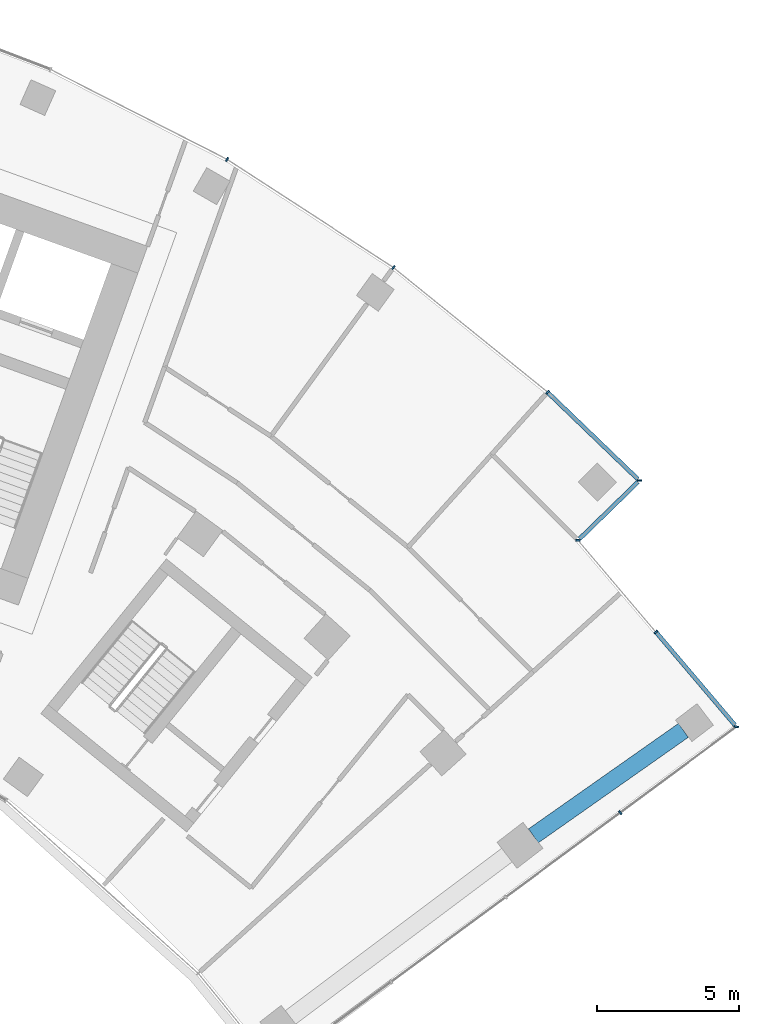
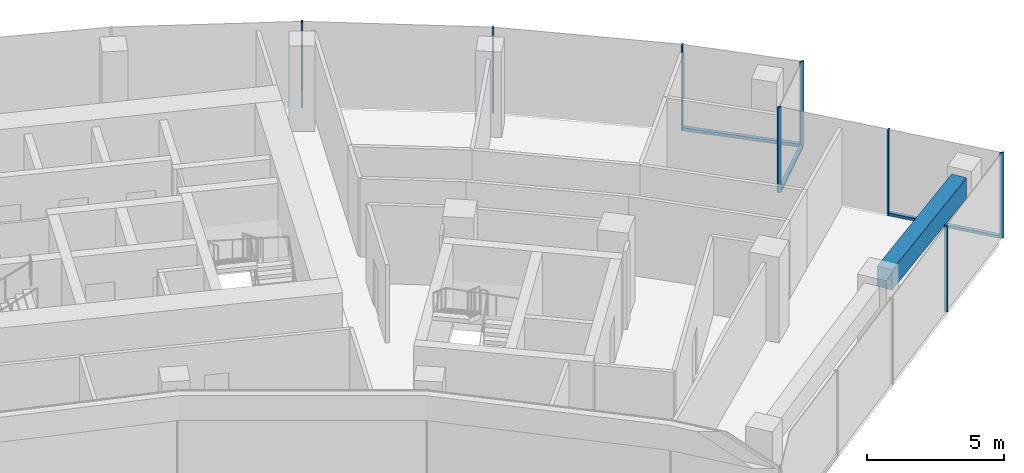
# One storey, part 8 of 18: 11 members, 1 beam, 4 elements without a shape of their own.
"""IFC4 building model written with IfcOpenShell, lengths in metres."""

from ifc_helpers import new_model, si_unit, direction, frame, origin, origin_2d, place, context, subcontext, project, spatial, rectangle, extrude, material, layer, layer_set, material_profile, profile_set, type_object, element, aggregate, save


model = new_model("IFC4")

# Units and contexts
model_context = context("Model", 3, precision=1e-05, world=origin(), true_north=direction((0.0, 1.0)))
body_context = subcontext(model_context, "Body", "Model", "MODEL_VIEW")
ifc_project = project(units=[si_unit("LENGTHUNIT", "METRE"), si_unit("AREAUNIT", "SQUARE_METRE"), si_unit("VOLUMEUNIT", "CUBIC_METRE"), si_unit("PLANEANGLEUNIT", "RADIAN"), si_unit("MASSUNIT", "GRAM", prefix="KILO")], contexts=[model_context])

# Site, building, storey
site_placement = place(None, origin())
site = spatial("IfcSite", under=ifc_project, at=site_placement, CompositionType="ELEMENT")
building_placement = place(site_placement, origin())
building = spatial("IfcBuilding", under=site, at=building_placement, Name="Stone Belt Terrace Tower", CompositionType="ELEMENT")
storey_placement = place(building_placement, frame((0.0, 0.0, 220.0)))
storey = spatial("IfcBuildingStorey", under=building, at=storey_placement, Name="L53", CompositionType="ELEMENT", Elevation=220.0)

# Curtain wall, members
ifc_material_1 = material(Name="Aluminium 6063-T6 anodised frame", Category="aluminium")
ifc_layer_1 = layer(ifc_material_1, 0.14990234375)
ifc_layer_set_1 = layer_set([ifc_layer_1], Name="CW-A unitised convex-face curtain wall")
curtain_wall_type_1 = type_object("IfcCurtainWallType", Name="CW-A unitised convex-face curtain wall", PredefinedType="NOTDEFINED", material=ifc_layer_set_1)
curtain_wall_1_placement = place(storey_placement, origin())
curtain_wall_1 = element("IfcCurtainWall", 1, at=curtain_wall_1_placement, inside=storey, type_object=curtain_wall_type_1, Name="CW-A convex face L53", PredefinedType="NOTDEFINED")
ifc_material_profile_1 = material_profile(ifc_material_1, rectangle(XDim=0.14990234375, YDim=0.06005859375, at=origin_2d()), Name="Aluminium 6063-T6 60x150")
ifc_profile_set_1 = profile_set([ifc_material_profile_1], Name="Aluminium 6063-T6 anodised frame")
member_type_1 = type_object("IfcMemberType", Name="CW-A mullion 60 x 150", PredefinedType="MULLION", material=ifc_profile_set_1)
member_1_placement = place(storey_placement, frame((47.775390625, 46.369140625, 0.0), z_axis=(0.0, 0.0, 1.0), x_axis=(-0.999996264646, -0.002733257028, 0.0)))
member_1 = element("IfcMember", 2, at=member_1_placement, type_object=member_type_1, Name="CW-A mullion 1", PredefinedType="MULLION", context=body_context, shape_type="SweptSolid", body=[
    extrude(rectangle(XDim=0.14990234375, YDim=0.06005859375, at=origin_2d()), origin(), (0.0, 0.0, 1.0), 3.800048828125),
])
member_2_placement = place(storey_placement, frame((44.546875, 49.475341796875, 0.0), z_axis=(0.0, 0.0, 1.0), x_axis=(-0.661937409618, -0.749559114245, 0.0)))
member_2 = element("IfcMember", 3, at=member_2_placement, type_object=member_type_1, Name="CW-A mullion 2", PredefinedType="MULLION", context=body_context, shape_type="SweptSolid", body=[
    extrude(rectangle(XDim=0.14990234375, YDim=0.06005859375, at=origin_2d()), origin(), (0.0, 0.0, 1.0), 3.800048828125),
])
member_3_placement = place(storey_placement, frame((39.1318359375, 53.8603515625, 0.0), z_axis=(0.0, 0.0, 1.0), x_axis=(-0.587785252292, -0.809016994375, 0.0)))
member_3 = element("IfcMember", 4, at=member_3_placement, type_object=member_type_1, Name="CW-A mullion 3", PredefinedType="MULLION", context=body_context, shape_type="SweptSolid", body=[
    extrude(rectangle(XDim=0.14990234375, YDim=0.06005859375, at=origin_2d()), origin(), (0.0, 0.0, 1.0), 3.800048828125),
])
member_4_placement = place(storey_placement, frame((33.28759765625, 57.65576171875, 0.0), z_axis=(0.0, 0.0, 1.0), x_axis=(-0.5, -0.866025403784, 0.0)))
member_4 = element("IfcMember", 5, at=member_4_placement, type_object=member_type_1, Name="CW-A mullion 4", PredefinedType="MULLION", context=body_context, shape_type="SweptSolid", body=[
    extrude(rectangle(XDim=0.14990234375, YDim=0.06005859375, at=origin_2d()), origin(), (0.0, 0.0, 1.0), 3.800048828125),
])
ifc_material_profile_2 = material_profile(ifc_material_1, rectangle(XDim=0.14990234375, YDim=0.139892578125, at=origin_2d()), Name="Aluminium 6063-T6 150x140")
ifc_profile_set_2 = profile_set([ifc_material_profile_2], Name="Aluminium 6063-T6 anodised frame")
member_type_2 = type_object("IfcMemberType", Name="CW-A transom 140 x 150", PredefinedType="USERDEFINED", material=ifc_profile_set_2)
member_5_placement = place(storey_placement, frame((47.721435546875, 46.4208984375, 0.070068359375), z_axis=(-0.720600183576, 0.693350831419, 0.0), x_axis=(-0.693350831419, -0.720600183576, 0.0)))
member_5 = element("IfcMember", 6, at=member_5_placement, type_object=member_type_2, Name="CW-A transom 1.1", ObjectType="TRANSOM", PredefinedType="USERDEFINED", context=body_context, shape_type="SweptSolid", body=[
    extrude(rectangle(XDim=0.14990234375, YDim=0.139892578125, at=origin_2d()), origin(), (0.0, 0.0, 1.0), 4.372314453125),
])
aggregate(curtain_wall_1, [member_1, member_2, member_3, member_4, member_5])

# Curtain wall, member
ifc_layer_2 = layer(ifc_material_1, 0.14990234375)
ifc_layer_set_2 = layer_set([ifc_layer_2], Name="CW-C stick curtain wall, horn ends and notches")
curtain_wall_type_2 = type_object("IfcCurtainWallType", Name="CW-C stick curtain wall, horn ends and notches", PredefinedType="NOTDEFINED", material=ifc_layer_set_2)
curtain_wall_2_placement = place(storey_placement, origin())
curtain_wall_2 = element("IfcCurtainWall", 7, at=curtain_wall_2_placement, inside=storey, type_object=curtain_wall_type_2, Name="CW-C end face L53", PredefinedType="NOTDEFINED")
ifc_material_profile_3 = material_profile(ifc_material_1, rectangle(XDim=0.14990234375, YDim=0.06005859375, at=origin_2d()), Name="Aluminium 6063-T6 60x150")
ifc_profile_set_3 = profile_set([ifc_material_profile_3], Name="Aluminium 6063-T6 anodised frame")
member_type_3 = type_object("IfcMemberType", Name="CW-C mullion 60 x 150", PredefinedType="MULLION", material=ifc_profile_set_3)
member_6_placement = place(storey_placement, frame((47.097900390625, 34.699462890625, 0.0), z_axis=(0.0, 0.0, 1.0), x_axis=(-0.594184091865, 0.804329077539, 0.0)))
member_6 = element("IfcMember", 8, at=member_6_placement, type_object=member_type_3, Name="CW-C mullion 4", PredefinedType="MULLION", context=body_context, shape_type="SweptSolid", body=[
    extrude(rectangle(XDim=0.14990234375, YDim=0.06005859375, at=origin_2d()), origin(), (0.0, 0.0, 1.0), 3.800048828125),
])
aggregate(curtain_wall_2, [member_6])

# Curtain wall, members
curtain_wall_3_placement = place(storey_placement, origin())
curtain_wall_3 = element("IfcCurtainWall", 9, at=curtain_wall_3_placement, inside=storey, type_object=curtain_wall_type_2, Name="CW-C notch face L53", PredefinedType="NOTDEFINED")
member_7_placement = place(storey_placement, frame((51.18408203125, 37.718017578125, 0.0), z_axis=(0.0, 0.0, 1.0), x_axis=(-0.993358853918, 0.115057321987, 0.0)))
member_7 = element("IfcMember", 10, at=member_7_placement, type_object=member_type_3, Name="CW-C mullion 1", PredefinedType="MULLION", context=body_context, shape_type="SweptSolid", body=[
    extrude(rectangle(XDim=0.14990234375, YDim=0.06005859375, at=origin_2d()), origin(), (0.0, 0.0, 1.0), 3.800048828125),
])
member_8_placement = place(storey_placement, frame((48.35302734375, 41.052490234375, 0.0), z_axis=(0.0, 0.0, 1.0), x_axis=(-0.762310954743, -0.647210945735, 0.0)))
member_8 = element("IfcMember", 11, at=member_8_placement, type_object=member_type_3, Name="CW-C mullion 2", PredefinedType="MULLION", context=body_context, shape_type="SweptSolid", body=[
    extrude(rectangle(XDim=0.14990234375, YDim=0.06005859375, at=origin_2d()), origin(), (0.0, 0.0, 1.0), 3.800048828125),
])

# Curtain wall, member
curtain_wall_4_placement = place(storey_placement, origin())
curtain_wall_4 = element("IfcCurtainWall", 12, at=curtain_wall_4_placement, inside=storey, type_object=curtain_wall_type_2, Name="CW-C notch face L53", PredefinedType="NOTDEFINED")
member_9_placement = place(storey_placement, frame((45.61962890625, 44.27197265625, 0.0), z_axis=(0.0, 0.0, 1.0), x_axis=(-0.998865261612, 0.047625509398, 0.0)))
member_9 = element("IfcMember", 13, at=member_9_placement, type_object=member_type_3, Name="CW-C mullion 1", PredefinedType="MULLION", context=body_context, shape_type="SweptSolid", body=[
    extrude(rectangle(XDim=0.14990234375, YDim=0.06005859375, at=origin_2d()), origin(), (0.0, 0.0, 1.0), 3.800048828125),
])

# Member
ifc_material_profile_4 = material_profile(ifc_material_1, rectangle(XDim=0.14990234375, YDim=0.1201171875, at=origin_2d()), Name="Aluminium 6063-T6 150x120")
ifc_profile_set_4 = profile_set([ifc_material_profile_4], Name="Aluminium 6063-T6 anodised frame")
member_type_4 = type_object("IfcMemberType", Name="CW-C transom 120 x 150", PredefinedType="USERDEFINED", material=ifc_profile_set_4)
member_10_placement = place(storey_placement, frame((51.13525390625, 37.775390625, 0.06005859375), z_axis=(-0.647195078608, 0.762324425836, 0.0), x_axis=(-0.762324425836, -0.647195078608, 0.0)))
member_10 = element("IfcMember", 14, at=member_10_placement, type_object=member_type_4, Name="CW-C transom 1.1", ObjectType="TRANSOM", PredefinedType="USERDEFINED", context=body_context, shape_type="SweptSolid", body=[
    extrude(rectangle(XDim=0.14990234375, YDim=0.1201171875, at=origin_2d()), origin(), (0.0, 0.0, 1.0), 4.268798828125),
])

aggregate(curtain_wall_3, [member_7, member_8, member_10])

member_11_placement = place(storey_placement, frame((45.671875, 44.322998046875, 0.06005859375), z_axis=(0.716814728684, 0.697263683797, 0.0), x_axis=(-0.697263683797, 0.716814728684, 0.0)))
member_11 = element("IfcMember", 15, at=member_11_placement, type_object=member_type_4, Name="CW-C transom 1.1", ObjectType="TRANSOM", PredefinedType="USERDEFINED", context=body_context, shape_type="SweptSolid", body=[
    extrude(rectangle(XDim=0.14990234375, YDim=0.1201171875, at=origin_2d()), origin(), (0.0, 0.0, 1.0), 2.859619140625),
])

aggregate(curtain_wall_4, [member_9, member_11])

# Beam
ifc_material_2 = material(Name="Concrete B60", Category="concrete")
ifc_material_profile_5 = material_profile(ifc_material_2, rectangle(XDim=0.60009765625, YDim=0.89990234375, at=origin_2d()), Name="RC 600x900")
ifc_profile_set_5 = profile_set([ifc_material_profile_5], Name="Concrete B60")
beam_type = type_object("IfcBeamType", Name="Edge beam RC 600x900 B60", PredefinedType="SPANDREL", material=ifc_profile_set_5)
beam_placement = place(storey_placement, frame((44.049560546875, 33.885498046875, 3.030029296875), z_axis=(0.817996569297, 0.575223098126, 0.0), x_axis=(-0.575223098126, 0.817996569297, 0.0)))
element("IfcBeam", 16, at=beam_placement, inside=storey, type_object=beam_type, Name="Edge beam L53 B Q to R", PredefinedType="SPANDREL", context=body_context, shape_type="SweptSolid", body=[
    extrude(rectangle(XDim=0.60009765625, YDim=0.89990234375, at=origin_2d()), origin(), (0.0, 0.0, 1.0), 6.444091796875),
])

save(model, "model.ifc")
